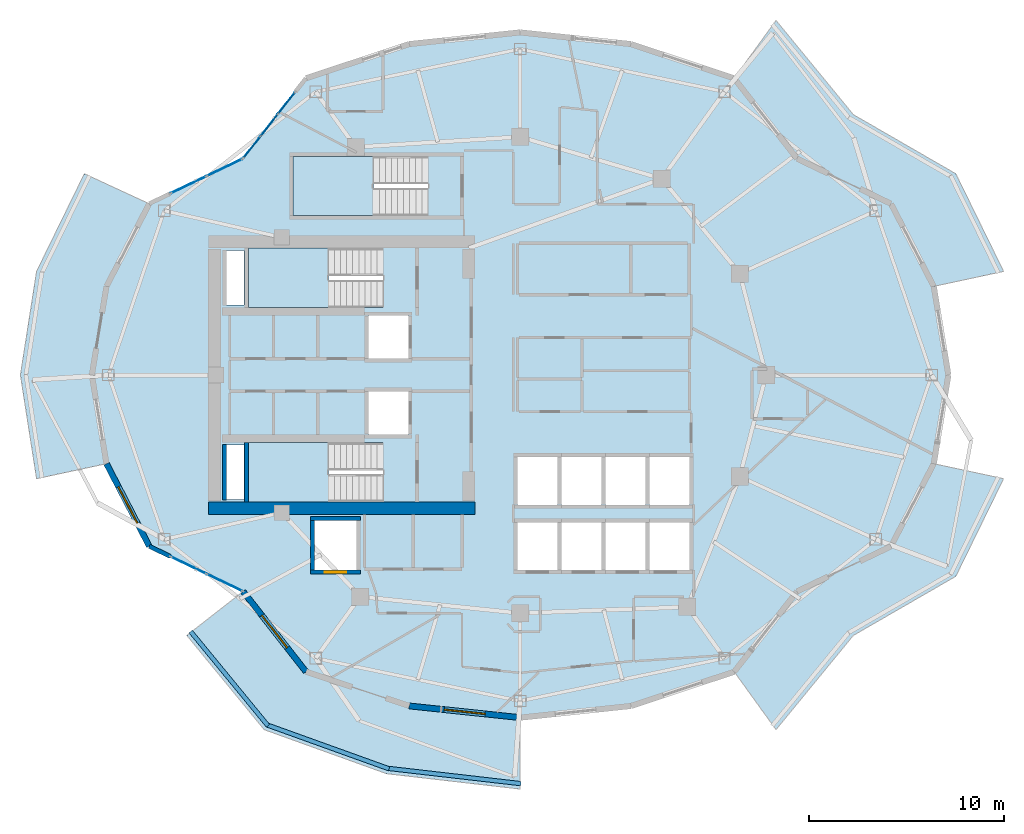
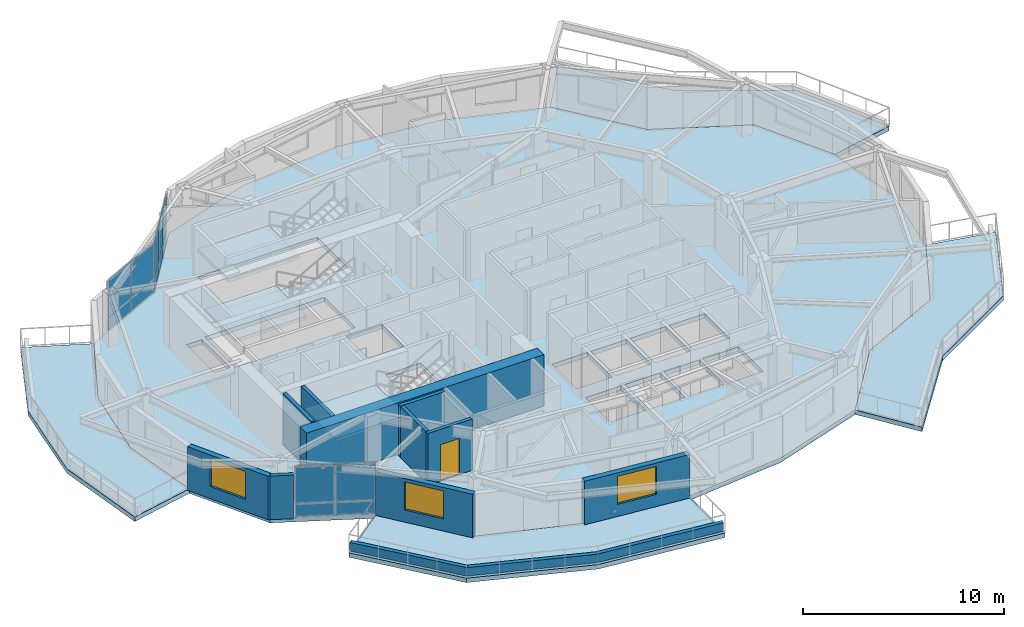
# One storey, part 6 of 13: 17 plates, 13 walls, 8 slabs, 3 windows, 1 door, 4 openings, 6 elements without a shape of their own.
"""IFC4 building model written with IfcOpenShell, lengths in metres."""

from ifc_helpers import new_model, si_unit, direction, frame, frame_2d, origin, origin_2d, place, context, subcontext, project, spatial, polyline, rectangle, outline, extrude, material, layer, layer_set, type_object, element, fill, aggregate, save


model = new_model("IFC4")

# Units and contexts
model_context = context("Model", 3, precision=1e-05, world=origin(), true_north=direction((0.0, 1.0)))
body_context = subcontext(model_context, "Body", "Model", "MODEL_VIEW")
ifc_project = project(units=[si_unit("LENGTHUNIT", "METRE"), si_unit("AREAUNIT", "SQUARE_METRE"), si_unit("VOLUMEUNIT", "CUBIC_METRE"), si_unit("PLANEANGLEUNIT", "RADIAN"), si_unit("MASSUNIT", "GRAM", prefix="KILO")], contexts=[model_context])

# Site, building, storey
site_placement = place(None, origin())
site = spatial("IfcSite", under=ifc_project, at=site_placement, CompositionType="ELEMENT")
building_placement = place(site_placement, origin())
building = spatial("IfcBuilding", under=site, at=building_placement, Name="Kolvaren Gate Tower and Convention Centre", CompositionType="ELEMENT")
storey_placement = place(building_placement, frame((0.0, 0.0, 156.300048828125)))
storey = spatial("IfcBuildingStorey", under=building, at=storey_placement, Name="L40", CompositionType="ELEMENT", Elevation=156.300048828125)

# Plates
ifc_material_1 = material(Name="Perforated Anodized Bronze Aluminium Sheet 6 mm", Category="aluminium")
ifc_layer_1 = layer(ifc_material_1, 0.011962890625)
ifc_layer_set_1 = layer_set([ifc_layer_1], Name="Perforated Anodized Bronze Aluminium Sheet 6 mm")
plate_type_1 = type_object("IfcPlateType", Name="ARCH-PL-SCREEN-PERF", PredefinedType="SHEET", material=ifc_layer_set_1)
for number, where, z_axis, x_axis, name in (
    (1, (17.54638671875, 40.142333984375, 2.2900390625), (0.0, 0.0, 1.0), (0.616446487588, 0.787396804629, 0.0), "Tower L40 Perforated Bronze Solar Screen SS-08"),
    (2, (13.531494140625, 36.930419921875, 2.2900390625), (0.0, 0.0, 1.0), (0.901358389955, 0.433073957723, 0.0), "Tower L40 Perforated Bronze Solar Screen SS-09"),
    (3, (13.531494140625, 17.069580078125, 2.2900390625), (0.0, 0.0, 1.0), (0.901358389955, -0.433073957723, 0.0), "Tower L40 Perforated Bronze Solar Screen SS-14"),
):
    element("IfcPlate", number, at=place(storey_placement, frame(where, z_axis=z_axis, x_axis=x_axis)), inside=storey, type_object=plate_type_1, Name=name, PredefinedType="SHEET", context=body_context, shape_type="SweptSolid", body=[
        extrude(rectangle(XDim=2.60009765625, YDim=0.011962890625, at=origin_2d()), origin(), (0.0, 0.0, 1.0), 0.840087890625),
    ])

# Curtain wall, plates
ifc_material_2 = material(Name="Anodized Architectural Aluminium Alloy 6063-T6", Category="aluminium")
ifc_layer_2 = layer(ifc_material_2, 0.159912109375)
ifc_layer_set_2 = layer_set([ifc_layer_2], Name="Anodized Architectural Aluminium Alloy 6063-T6")
curtain_wall_type = type_object("IfcCurtainWallType", Name="CW-HTL-UNIT", PredefinedType="NOTDEFINED", material=ifc_layer_set_2)
curtain_wall_1_placement = place(storey_placement, origin())
curtain_wall_1 = element("IfcCurtainWall", 4, at=curtain_wall_1_placement, inside=storey, type_object=curtain_wall_type, Name="Tower L40 Unitised Curtain Wall CW-HTL-UNIT Bay 08", PredefinedType="NOTDEFINED")
ifc_material_3 = material(Name="Low-E Triple Insulated Glazing Unit 44 mm", Category="glass")
ifc_layer_3 = layer(ifc_material_3, 0.0439453125)
ifc_layer_set_3 = layer_set([ifc_layer_3], Name="Low-E Triple Insulated Glazing Unit 44 mm")
plate_type_2 = type_object("IfcPlateType", Name="CW-PL-IGU-44", PredefinedType="CURTAIN_PANEL", material=ifc_layer_set_3)
plate_1_placement = place(storey_placement, frame((16.39306640625, 38.669189453125, 0.88232421875), z_axis=(0.0, 0.0, 1.0), x_axis=(0.616449056034, 0.787394793807, 0.0)))
plate_1 = element("IfcPlate", 5, at=plate_1_placement, type_object=plate_type_2, Name="CW-03 panel 1.2", PredefinedType="CURTAIN_PANEL", context=body_context, shape_type="SweptSolid", body=[
    extrude(rectangle(XDim=1.3515625, YDim=0.0439453125, at=origin_2d()), origin(), (0.0, 0.0, 1.0), 2.1826171875),
])
plate_2_placement = place(storey_placement, frame((17.2763671875, 39.79736328125, 0.88232421875), z_axis=(0.0, 0.0, 1.0), x_axis=(0.616449056034, 0.787394793807, 0.0)))
plate_2 = element("IfcPlate", 6, at=plate_2_placement, type_object=plate_type_2, Name="CW-03 panel 2.2", PredefinedType="CURTAIN_PANEL", context=body_context, shape_type="SweptSolid", body=[
    extrude(rectangle(XDim=1.384033203125, YDim=0.0439453125, at=origin_2d()), origin(), (0.0, 0.0, 1.0), 2.1826171875),
])
plate_3_placement = place(storey_placement, frame((18.15966796875, 40.925537109375, 0.88232421875), z_axis=(0.0, 0.0, 1.0), x_axis=(0.616449056034, 0.787394793807, 0.0)))
plate_3 = element("IfcPlate", 7, at=plate_3_placement, type_object=plate_type_2, Name="CW-03 panel 3.2", PredefinedType="CURTAIN_PANEL", context=body_context, shape_type="SweptSolid", body=[
    extrude(rectangle(XDim=1.3515625, YDim=0.0439453125, at=origin_2d()), origin(), (0.0, 0.0, 1.0), 2.1826171875),
])

curtain_wall_2_placement = place(storey_placement, origin())
curtain_wall_2 = element("IfcCurtainWall", 8, at=curtain_wall_2_placement, inside=storey, type_object=curtain_wall_type, Name="Tower L40 Unitised Curtain Wall CW-HTL-UNIT Bay 09", PredefinedType="NOTDEFINED")
plate_4_placement = place(storey_placement, frame((13.14208984375, 36.743408203125, 0.88232421875), z_axis=(0.0, 0.0, 1.0), x_axis=(0.901362639973, 0.433065112035, 0.0)))
plate_4 = element("IfcPlate", 9, at=plate_4_placement, type_object=plate_type_2, Name="CW-03 panel 1.2", PredefinedType="CURTAIN_PANEL", context=body_context, shape_type="SweptSolid", body=[
    extrude(rectangle(XDim=1.980224609375, YDim=0.0439453125, at=origin_2d()), origin(), (0.0, 0.0, 1.0), 2.1826171875),
])
plate_5_placement = place(storey_placement, frame((14.985595703125, 37.629150390625, 0.88232421875), z_axis=(0.0, 0.0, 1.0), x_axis=(0.901362639973, 0.433065112035, 0.0)))
plate_5 = element("IfcPlate", 10, at=plate_5_placement, type_object=plate_type_2, Name="CW-03 panel 2.2", PredefinedType="CURTAIN_PANEL", context=body_context, shape_type="SweptSolid", body=[
    extrude(rectangle(XDim=1.980224609375, YDim=0.0439453125, at=origin_2d()), origin(), (0.0, 0.0, 1.0), 2.1826171875),
])

curtain_wall_3_placement = place(storey_placement, origin())
curtain_wall_3 = element("IfcCurtainWall", 11, at=curtain_wall_3_placement, inside=storey, type_object=curtain_wall_type, Name="Tower L40 Unitised Curtain Wall CW-HTL-UNIT Bay 14", PredefinedType="NOTDEFINED")
plate_6_placement = place(storey_placement, frame((13.14208984375, 17.256591796875, 0.88232421875), z_axis=(0.0, 0.0, 1.0), x_axis=(0.901362639973, -0.433065112035, 0.0)))
plate_6 = element("IfcPlate", 12, at=plate_6_placement, type_object=plate_type_2, Name="CW-03 panel 1.2", PredefinedType="CURTAIN_PANEL", context=body_context, shape_type="SweptSolid", body=[
    extrude(rectangle(XDim=1.980224609375, YDim=0.0439453125, at=origin_2d()), origin(), (0.0, 0.0, 1.0), 2.1826171875),
])
plate_7_placement = place(storey_placement, frame((14.985595703125, 16.370849609375, 0.88232421875), z_axis=(0.0, 0.0, 1.0), x_axis=(0.901362639973, -0.433065112035, 0.0)))
plate_7 = element("IfcPlate", 13, at=plate_7_placement, type_object=plate_type_2, Name="CW-03 panel 2.2", PredefinedType="CURTAIN_PANEL", context=body_context, shape_type="SweptSolid", body=[
    extrude(rectangle(XDim=1.980224609375, YDim=0.0439453125, at=origin_2d()), origin(), (0.0, 0.0, 1.0), 2.1826171875),
])

# Plate
ifc_material_4 = material(Name="Solar-Control Laminated Curtain Glazing 36 mm", Category="glass")
ifc_layer_4 = layer(ifc_material_4, 0.035888671875)
ifc_layer_set_4 = layer_set([ifc_layer_4], Name="Solar-Control Laminated Curtain Glazing 36 mm")
plate_type_3 = type_object("IfcPlateType", Name="CW-PL-SPAN-36", PredefinedType="CURTAIN_PANEL", material=ifc_layer_set_4)
plate_8_placement = place(storey_placement, frame((16.39306640625, 38.669189453125, 0.06494140625), z_axis=(0.0, 0.0, 1.0), x_axis=(0.616449056034, 0.787394793807, 0.0)))
plate_8 = element("IfcPlate", 14, at=plate_8_placement, type_object=plate_type_3, Name="CW-03 panel 1.1", PredefinedType="CURTAIN_PANEL", context=body_context, shape_type="SweptSolid", body=[
    extrude(rectangle(XDim=1.3515625, YDim=0.035888671875, at=origin_2d()), origin(), (0.0, 0.0, 1.0), 0.75244140625),
])

plate_9_placement = place(storey_placement, frame((17.2763671875, 39.79736328125, 0.06494140625), z_axis=(0.0, 0.0, 1.0), x_axis=(0.616449056034, 0.787394793807, 0.0)))
plate_9 = element("IfcPlate", 15, at=plate_9_placement, type_object=plate_type_3, Name="CW-03 panel 2.1", PredefinedType="CURTAIN_PANEL", context=body_context, shape_type="SweptSolid", body=[
    extrude(rectangle(XDim=1.384033203125, YDim=0.035888671875, at=origin_2d()), origin(), (0.0, 0.0, 1.0), 0.75244140625),
])

plate_10_placement = place(storey_placement, frame((18.15966796875, 40.925537109375, 0.06494140625), z_axis=(0.0, 0.0, 1.0), x_axis=(0.616449056034, 0.787394793807, 0.0)))
plate_10 = element("IfcPlate", 16, at=plate_10_placement, type_object=plate_type_3, Name="CW-03 panel 3.1", PredefinedType="CURTAIN_PANEL", context=body_context, shape_type="SweptSolid", body=[
    extrude(rectangle(XDim=1.3515625, YDim=0.035888671875, at=origin_2d()), origin(), (0.0, 0.0, 1.0), 0.75244140625),
])

aggregate(curtain_wall_1, [plate_8, plate_1, plate_9, plate_2, plate_10, plate_3])

plate_11_placement = place(storey_placement, frame((13.14208984375, 36.743408203125, 0.06494140625), z_axis=(0.0, 0.0, 1.0), x_axis=(0.901362639973, 0.433065112035, 0.0)))
plate_11 = element("IfcPlate", 17, at=plate_11_placement, type_object=plate_type_3, Name="CW-03 panel 1.1", PredefinedType="CURTAIN_PANEL", context=body_context, shape_type="SweptSolid", body=[
    extrude(rectangle(XDim=1.980224609375, YDim=0.035888671875, at=origin_2d()), origin(), (0.0, 0.0, 1.0), 0.75244140625),
])

plate_12_placement = place(storey_placement, frame((14.985595703125, 37.629150390625, 0.06494140625), z_axis=(0.0, 0.0, 1.0), x_axis=(0.901362639973, 0.433065112035, 0.0)))
plate_12 = element("IfcPlate", 18, at=plate_12_placement, type_object=plate_type_3, Name="CW-03 panel 2.1", PredefinedType="CURTAIN_PANEL", context=body_context, shape_type="SweptSolid", body=[
    extrude(rectangle(XDim=1.980224609375, YDim=0.035888671875, at=origin_2d()), origin(), (0.0, 0.0, 1.0), 0.75244140625),
])

aggregate(curtain_wall_2, [plate_11, plate_4, plate_12, plate_5])

plate_13_placement = place(storey_placement, frame((13.14208984375, 17.256591796875, 0.06494140625), z_axis=(0.0, 0.0, 1.0), x_axis=(0.901362639973, -0.433065112035, 0.0)))
plate_13 = element("IfcPlate", 19, at=plate_13_placement, type_object=plate_type_3, Name="CW-03 panel 1.1", PredefinedType="CURTAIN_PANEL", context=body_context, shape_type="SweptSolid", body=[
    extrude(rectangle(XDim=1.980224609375, YDim=0.035888671875, at=origin_2d()), origin(), (0.0, 0.0, 1.0), 0.75244140625),
])

plate_14_placement = place(storey_placement, frame((14.985595703125, 16.370849609375, 0.06494140625), z_axis=(0.0, 0.0, 1.0), x_axis=(0.901362639973, -0.433065112035, 0.0)))
plate_14 = element("IfcPlate", 20, at=plate_14_placement, type_object=plate_type_3, Name="CW-03 panel 2.1", PredefinedType="CURTAIN_PANEL", context=body_context, shape_type="SweptSolid", body=[
    extrude(rectangle(XDim=1.980224609375, YDim=0.035888671875, at=origin_2d()), origin(), (0.0, 0.0, 1.0), 0.75244140625),
])

aggregate(curtain_wall_3, [plate_13, plate_6, plate_14, plate_7])

# Slabs
ifc_material_5 = material(Name="Concrete C50/60", Category="concrete")
ifc_layer_5 = layer(ifc_material_5, 0.27001953125)
ifc_layer_set_5 = layer_set([ifc_layer_5], Name="Concrete C50/60")
slab_type_1 = type_object("IfcSlabType", Name="STR-SL-BALC-270", PredefinedType="FLOOR", material=ifc_layer_set_5)
slab_1_placement = place(storey_placement, frame((0.0, 0.0, -0.27001953125)))
element("IfcSlab", 21, at=slab_1_placement, inside=storey, type_object=slab_type_1, Name="Tower L40 Planted Balcony Terrace Slab 1 (East)", PredefinedType="FLOOR", context=body_context, shape_type="SweptSolid", body=[
    extrude(outline(polyline([(51.31494140625, 31.542236328125), (49.123291015625, 35.77490234375), (44.3134765625, 38.0859375), (41.09375, 42.19873046875), (43.235595703125, 45.16650390625), (47.197509765625, 40.33935546875), (52.446044921875, 37.309814453125), (54.893798828125, 32.309326171875), (51.31494140625, 31.542236328125)])), origin(), (0.0, 0.0, 1.0), 0.27001953125),
])
slab_2_placement = place(storey_placement, frame((0.0, 0.0, -0.27001953125)))
element("IfcSlab", 22, at=slab_2_placement, inside=storey, type_object=slab_type_1, Name="Tower L40 Planted Balcony Terrace Slab 2 (West)", PredefinedType="FLOOR", context=body_context, shape_type="SweptSolid", body=[
    extrude(outline(polyline([(11.126708984375, 35.77490234375), (8.93505859375, 31.542236328125), (8.1875, 27.0), (8.93505859375, 22.457763671875), (5.356201171875, 21.690673828125), (4.527587890625, 27.0), (5.356201171875, 32.309326171875), (7.803955078125, 37.309814453125), (11.126708984375, 35.77490234375)])), origin(), (0.0, 0.0, 1.0), 0.27001953125),
])
slab_3_placement = place(storey_placement, frame((0.0, 0.0, -0.27001953125)))
element("IfcSlab", 23, at=slab_3_placement, inside=storey, type_object=slab_type_1, Name="Tower L40 Planted Balcony Terrace Slab 3 (South)", PredefinedType="FLOOR", context=body_context, shape_type="SweptSolid", body=[
    extrude(outline(polyline([(15.9365234375, 15.9140625), (19.15625, 11.80126953125), (24.447265625, 10.048095703125), (30.125, 9.449951171875), (30.125, 5.7900390625), (23.284912109375, 6.577392578125), (17.014404296875, 8.83349609375), (13.052490234375, 13.66064453125), (15.9365234375, 15.9140625)])), origin(), (0.0, 0.0, 1.0), 0.27001953125),
])
slab_4_placement = place(storey_placement, frame((0.0, 0.0, -0.27001953125)))
element("IfcSlab", 24, at=slab_4_placement, inside=storey, type_object=slab_type_1, Name="Tower L40 Planted Balcony Terrace Slab 4 (East)", PredefinedType="FLOOR", context=body_context, shape_type="SweptSolid", body=[
    extrude(outline(polyline([(41.09375, 11.80126953125), (44.3134765625, 15.9140625), (49.123291015625, 18.22509765625), (51.31494140625, 22.457763671875), (54.893798828125, 21.690673828125), (52.446044921875, 16.690185546875), (47.197509765625, 13.66064453125), (43.235595703125, 8.83349609375), (41.09375, 11.80126953125)])), origin(), (0.0, 0.0, 1.0), 0.27001953125),
])
ifc_material_6 = material(Name="Concrete C40/50", Category="concrete")
ifc_layer_6 = layer(ifc_material_6, 0.27001953125)
ifc_layer_set_6 = layer_set([ifc_layer_6], Name="Concrete C40/50")
slab_type_2 = type_object("IfcSlabType", Name="STR-SL-FLR-270", PredefinedType="FLOOR", material=ifc_layer_set_6)
slab_5_placement = place(storey_placement, frame((0.0, 0.0, -0.27001953125)))
element("IfcSlab", 25, at=slab_5_placement, inside=storey, type_object=slab_type_2, Name="Tower L40 Structural Floor Slab", PredefinedType="FLOOR", context=body_context, shape_type="SweptSolid", body=[
    extrude(outline(polyline([(52.0625, 27.0), (51.31494140625, 31.542236328125), (49.123291015625, 35.77490234375), (44.3134765625, 38.0859375), (41.09375, 42.19873046875), (35.802734375, 43.951904296875), (30.125, 44.550048828125), (24.447265625, 43.951904296875), (19.15625, 42.19873046875), (15.9365234375, 38.0859375), (11.126708984375, 35.77490234375), (8.93505859375, 31.542236328125), (8.1875, 27.0), (8.93505859375, 22.457763671875), (11.126708984375, 18.22509765625), (15.9365234375, 15.9140625), (19.15625, 11.80126953125), (24.447265625, 10.048095703125), (30.125, 9.449951171875), (35.802734375, 10.048095703125), (41.09375, 11.80126953125), (44.3134765625, 15.9140625), (49.123291015625, 18.22509765625), (51.31494140625, 22.457763671875), (52.0625, 27.0)]), holes=[polyline([(36.75, 17.0), (36.75, 19.449951171875), (38.800048828125, 19.449951171875), (38.800048828125, 17.0), (36.75, 17.0)]), polyline([(36.75, 20.35009765625), (36.75, 22.800048828125), (38.800048828125, 22.800048828125), (38.800048828125, 20.35009765625), (36.75, 20.35009765625)]), polyline([(34.5, 17.0), (34.5, 19.449951171875), (36.550048828125, 19.449951171875), (36.550048828125, 17.0), (34.5, 17.0)]), polyline([(34.5, 20.35009765625), (34.5, 22.800048828125), (36.550048828125, 22.800048828125), (36.550048828125, 20.35009765625), (34.5, 20.35009765625)]), polyline([(32.25, 17.0), (32.25, 19.449951171875), (34.300048828125, 19.449951171875), (34.300048828125, 17.0), (32.25, 17.0)]), polyline([(32.25, 20.35009765625), (32.25, 22.800048828125), (34.300048828125, 22.800048828125), (34.300048828125, 20.35009765625), (32.25, 20.35009765625)]), polyline([(30.0, 17.0), (30.0, 19.449951171875), (32.050048828125, 19.449951171875), (32.050048828125, 17.0), (30.0, 17.0)]), polyline([(30.0, 20.35009765625), (30.0, 22.800048828125), (32.050048828125, 22.800048828125), (32.050048828125, 20.35009765625), (30.0, 20.35009765625)]), polyline([(25.39990234375, 38.199951171875), (25.39990234375, 35.159912109375), (18.5, 35.159912109375), (18.5, 38.199951171875), (25.39990234375, 38.199951171875)]), polyline([(22.35009765625, 23.9599609375), (22.35009765625, 26.159912109375), (24.39990234375, 26.159912109375), (24.39990234375, 23.9599609375), (22.35009765625, 23.9599609375)]), polyline([(22.35009765625, 27.840087890625), (22.35009765625, 30.0400390625), (24.39990234375, 30.0400390625), (24.39990234375, 27.840087890625), (22.35009765625, 27.840087890625)]), polyline([(23.10009765625, 23.5400390625), (23.10009765625, 20.5), (16.199951171875, 20.5), (16.199951171875, 23.5400390625), (23.10009765625, 23.5400390625)]), polyline([(23.10009765625, 33.5), (23.10009765625, 30.4599609375), (16.199951171875, 30.4599609375), (16.199951171875, 33.5), (23.10009765625, 33.5)]), polyline([(19.60009765625, 17.0), (19.60009765625, 19.550048828125), (21.75, 19.550048828125), (21.75, 17.0), (19.60009765625, 17.0)]), polyline([(15.080078125, 20.6298828125), (15.080078125, 23.419921875), (15.969970703125, 23.419921875), (15.969970703125, 20.6298828125), (15.080078125, 20.6298828125)]), polyline([(15.080078125, 30.580078125), (15.080078125, 33.3701171875), (15.969970703125, 33.3701171875), (15.969970703125, 30.580078125), (15.080078125, 30.580078125)])]), origin(), (0.0, 0.0, 1.0), 0.27001953125),
])

# Stair, slab
stair_type = type_object("IfcStairType", Name="STR-STAIR-CORE", PredefinedType="HALF_TURN_STAIR", material=ifc_material_5)
stair_1_placement = place(storey_placement, origin())
stair_1 = element("IfcStair", 26, at=stair_1_placement, inside=storey, type_object=stair_type, Name="L40 Tower North Exit Stair ST-T1", PredefinedType="HALF_TURN_STAIR")
ifc_layer_7 = layer(ifc_material_5, 0.199951171875)
ifc_layer_set_7 = layer_set([ifc_layer_7], Name="Concrete C50/60")
slab_type_3 = type_object("IfcSlabType", Name="STR-SL-LAND-200", PredefinedType="LANDING", material=ifc_layer_set_7)
slab_6_placement = place(storey_placement, frame((0.0, 0.0, 1.5)))
slab_6 = element("IfcSlab", 27, at=slab_6_placement, type_object=slab_type_3, Name="ST-T1 landing 1", PredefinedType="LANDING", context=body_context, shape_type="SweptSolid", body=[
    extrude(outline(polyline([(20.31005859375, 33.5), (16.199951171875, 33.5), (16.199951171875, 30.4599609375), (20.31005859375, 30.4599609375), (20.31005859375, 33.5)])), origin(), (0.0, 0.0, 1.0), 0.199951171875),
])
aggregate(stair_1, [slab_6])

stair_2_placement = place(storey_placement, origin())
stair_2 = element("IfcStair", 28, at=stair_2_placement, inside=storey, type_object=stair_type, Name="L40 Tower South Exit Stair ST-T2", PredefinedType="HALF_TURN_STAIR")
slab_7_placement = place(storey_placement, frame((0.0, 0.0, 1.5)))
slab_7 = element("IfcSlab", 29, at=slab_7_placement, type_object=slab_type_3, Name="ST-T2 landing 1", PredefinedType="LANDING", context=body_context, shape_type="SweptSolid", body=[
    extrude(outline(polyline([(20.31005859375, 23.5400390625), (16.199951171875, 23.5400390625), (16.199951171875, 20.5), (20.31005859375, 20.5), (20.31005859375, 23.5400390625)])), origin(), (0.0, 0.0, 1.0), 0.199951171875),
])
aggregate(stair_2, [slab_7])

stair_3_placement = place(storey_placement, origin())
stair_3 = element("IfcStair", 30, at=stair_3_placement, inside=storey, type_object=stair_type, Name="L40 Tower Mid-Zone Exit Stair ST-T3", PredefinedType="HALF_TURN_STAIR")
slab_8_placement = place(storey_placement, frame((0.0, 0.0, 1.5)))
slab_8 = element("IfcSlab", 31, at=slab_8_placement, type_object=slab_type_3, Name="ST-T3 landing 1", PredefinedType="LANDING", context=body_context, shape_type="SweptSolid", body=[
    extrude(outline(polyline([(22.610107421875, 38.199951171875), (18.5, 38.199951171875), (18.5, 35.159912109375), (22.610107421875, 35.159912109375), (22.610107421875, 38.199951171875)])), origin(), (0.0, 0.0, 1.0), 0.199951171875),
])
aggregate(stair_3, [slab_8])

# Walls
ifc_material_7 = material(Name="Bogota Sabana Bush-Hammered Sandstone Cladding", Category="masonry")
ifc_layer_8 = layer(ifc_material_7, 0.219970703125)
ifc_layer_set_8 = layer_set([ifc_layer_8], Name="Bogota Sabana Bush-Hammered Sandstone Cladding")
wall_type_1 = type_object("IfcWallType", Name="ARCH-WL-PIER-220", PredefinedType="SOLIDWALL", material=ifc_layer_set_8)
wall_1_placement = place(storey_placement, frame((11.126708984375, 18.22509765625, 0.0), z_axis=(0.0, 0.0, 1.0), x_axis=(0.901264843027, -0.433268603437, 0.0)))
element("IfcWall", 32, at=wall_1_placement, inside=storey, type_object=wall_type_1, Name="Tower L40 Unitised Curtain Wall CW-HTL-UNIT Bay 14 Left Column Pier Wrap", PredefinedType="SOLIDWALL", context=body_context, shape_type="SweptSolid", body=[
    extrude(rectangle(XDim=1.18115234375, YDim=0.219970703125, at=frame_2d((0.590576171875, 0.0))), origin(), (0.0, 0.0, 1.0), 2.65283203125),
])
ifc_material_8 = material(Name="Piedmont Cream Honed Limestone Cladding", Category="masonry")
ifc_layer_9 = layer(ifc_material_8, 0.219970703125)
ifc_layer_set_9 = layer_set([ifc_layer_9], Name="Piedmont Cream Honed Limestone Cladding")
wall_type_2 = type_object("IfcWallType", Name="ARCH-WL-PLANTER-220", PredefinedType="PARAPET", material=ifc_layer_set_9)
wall_2_placement = place(storey_placement, frame((13.24609375, 13.86279296875, 0.0), z_axis=(0.0, 0.0, 1.0), x_axis=(0.634429234628, -0.77298094818, 0.0)))
element("IfcWall", 33, at=wall_2_placement, inside=storey, type_object=wall_type_2, Name="Vertical-Forest Balcony Stone Planter Kerb PK-L40-3.1", PredefinedType="PARAPET", context=body_context, shape_type="SweptSolid", body=[
    extrude(rectangle(XDim=6.244873046875, YDim=0.219970703125, at=frame_2d((3.12255859375, 0.0))), origin(), (0.0, 0.0, 1.0), 0.52001953125),
])
wall_3_placement = place(storey_placement, frame((17.142822265625, 9.082275390625, 0.0), z_axis=(0.0, 0.0, 1.0), x_axis=(0.940948576924, -0.338549517184, 0.0)))
element("IfcWall", 34, at=wall_3_placement, inside=storey, type_object=wall_type_2, Name="Vertical-Forest Balcony Stone Planter Kerb PK-L40-3.2", PredefinedType="PARAPET", context=body_context, shape_type="SweptSolid", body=[
    extrude(rectangle(XDim=6.6640625, YDim=0.219970703125, at=frame_2d((3.33203125, 0.0))), origin(), (0.0, 0.0, 1.0), 0.52001953125),
])
wall_4_placement = place(storey_placement, frame((23.330078125, 6.853759765625, 0.0), z_axis=(0.0, 0.0, 1.0), x_axis=(0.993440576506, -0.114349555972, 0.0)))
element("IfcWall", 35, at=wall_4_placement, inside=storey, type_object=wall_type_2, Name="Vertical-Forest Balcony Stone Planter Kerb PK-L40-3.3", PredefinedType="PARAPET", context=body_context, shape_type="SweptSolid", body=[
    extrude(rectangle(XDim=6.885498046875, YDim=0.219970703125, at=frame_2d((3.44287109375, 0.0))), origin(), (0.0, 0.0, 1.0), 0.52001953125),
])
ifc_material_9 = material(Name="Autoclaved Aerated Masonry Blockwork Class 4 (4.0 MPa)", Category="masonry")
ifc_layer_10 = layer(ifc_material_9, 0.199951171875)
ifc_layer_set_10 = layer_set([ifc_layer_10], Name="Autoclaved Aerated Masonry Blockwork Class 4 (4.0 MPa)")
wall_type_3 = type_object("IfcWallType", Name="ARCH-WL-SHAFT-200", PredefinedType="SOLIDWALL", material=ifc_layer_set_10)
wall_5_placement = place(storey_placement, frame((19.39990234375, 19.64990234375, 0.0), z_axis=(0.0, 0.0, 1.0), x_axis=(1.0, 0.0, 0.0)))
element("IfcWall", 36, at=wall_5_placement, inside=storey, type_object=wall_type_3, Name="Elevator SV-01 L40 Fire Shaft Wall N", PredefinedType="SOLIDWALL", context=body_context, shape_type="SweptSolid", body=[
    extrude(rectangle(XDim=2.550048828125, YDim=0.199951171875, at=frame_2d((1.27490234375, 0.0))), origin(), (0.0, 0.0, 1.0), 3.1298828125),
])

# Wall, opening, door
wall_6_placement = place(storey_placement, frame((19.39990234375, 16.89990234375, 0.0), z_axis=(0.0, 0.0, 1.0), x_axis=(1.0, 0.0, 0.0)))
wall_6 = element("IfcWall", 37, at=wall_6_placement, inside=storey, type_object=wall_type_3, Name="Elevator SV-01 L40 Fire Shaft Wall S", PredefinedType="SOLIDWALL", context=body_context, shape_type="SweptSolid", body=[
    extrude(rectangle(XDim=2.550048828125, YDim=0.199951171875, at=frame_2d((1.27490234375, 0.0))), origin(), (0.0, 0.0, 1.0), 3.1298828125),
])
opening_1_placement = place(wall_6_placement, frame((0.72509765625, 0.0, 0.0)))
opening_1 = element("IfcOpeningElement", 38, at=opening_1_placement, cuts=wall_6, Name="Opening LD", PredefinedType="OPENING", context=body_context, shape_type="SweptSolid", body=[
    extrude(rectangle(XDim=1.10009765625, YDim=2.199951171875, at=frame_2d((0.550048828125, 1.10009765625))), frame((0.0, 0.10986328125, 0.0), z_axis=(0.0, -1.0, 0.0), x_axis=(1.0, 0.0, 0.0)), (0.0, 0.0, 1.0), 0.219970703125),
])
ifc_material_10 = material(Name="Brushed Stainless Steel Grade 316L", Category="steel")
door_type = type_object("IfcDoorType", Name="ARCH-DR-LIFT-1100", OperationType="SLIDING_TO_LEFT", PredefinedType="DOOR", material=ifc_material_10)
door_placement = place(opening_1_placement, origin())
door = element("IfcDoor", 39, at=door_placement, inside=storey, type_object=door_type, Name="Elevator SV-01 L40 Sliding Landing Door", OperationType="SLIDING_TO_LEFT", OverallHeight=2.199951171875, OverallWidth=1.10009765625, PredefinedType="DOOR", context=body_context, shape_type="SweptSolid", body=[
    extrude(rectangle(XDim=1.10009765625, YDim=2.199951171875, at=frame_2d((0.550048828125, 1.10009765625))), frame((0.0, 0.02490234375, 0.0), z_axis=(0.0, -1.0, 0.0), x_axis=(1.0, 0.0, 0.0)), (0.0, 0.0, 1.0), 0.050048828125),
])
fill(opening_1, door)

# Walls
wall_7_placement = place(storey_placement, frame((19.5, 17.010009765625, 0.0), z_axis=(0.0, 0.0, 1.0), x_axis=(0.0, 1.0, 0.0)))
element("IfcWall", 40, at=wall_7_placement, inside=storey, type_object=wall_type_3, Name="Elevator SV-01 L40 Fire Shaft Wall W", PredefinedType="SOLIDWALL", context=body_context, shape_type="SweptSolid", body=[
    extrude(rectangle(XDim=2.530029296875, YDim=0.199951171875, at=frame_2d((1.26513671875, 0.0))), origin(), (0.0, 0.0, 1.0), 3.1298828125),
])
wall_8_placement = place(storey_placement, frame((14.989990234375, 20.60009765625, 0.0), z_axis=(0.0, 0.0, 1.0), x_axis=(0.0, 1.0, 0.0)))
element("IfcWall", 41, at=wall_8_placement, inside=storey, type_object=wall_type_3, Name="Vertical Shaft MPR L40 EI-120 Enclosure Wall W", PredefinedType="SOLIDWALL", context=body_context, shape_type="SweptSolid", body=[
    extrude(rectangle(XDim=2.849853515625, YDim=0.199951171875, at=frame_2d((1.4248046875, 0.0))), origin(), (0.0, 0.0, 1.0), 3.1298828125),
])

# Wall, opening, window
ifc_layer_11 = layer(ifc_material_8, 0.300048828125)
ifc_layer_set_11 = layer_set([ifc_layer_11], Name="Piedmont Cream Honed Limestone Cladding")
wall_type_4 = type_object("IfcWallType", Name="ARCH-WL-STONE-300", PredefinedType="SOLIDWALL", material=ifc_layer_set_11)
wall_9_placement = place(storey_placement, frame((8.93505859375, 22.457763671875, 0.0), z_axis=(0.0, 0.0, 1.0), x_axis=(0.459810251451, -0.888017191647, 0.0)))
wall_9 = element("IfcWall", 42, at=wall_9_placement, inside=storey, type_object=wall_type_4, Name="Tower L40 Honed Stone Spandrel Wall EW-13", PredefinedType="SOLIDWALL", context=body_context, shape_type="SweptSolid", body=[
    extrude(rectangle(XDim=4.766357421875, YDim=0.300048828125, at=frame_2d((2.38330078125, 0.0))), origin(), (0.0, 0.0, 1.0), 2.65283203125),
])
opening_2_placement = place(wall_9_placement, frame((1.3330078125, 0.0, 0.739990234375)))
opening_2 = element("IfcOpeningElement", 43, at=opening_2_placement, cuts=wall_9, Name="Opening W-02", PredefinedType="OPENING", context=body_context, shape_type="SweptSolid", body=[
    extrude(rectangle(XDim=2.10009765625, YDim=1.699951171875, at=frame_2d((1.050048828125, 0.85009765625))), frame((0.0, 0.159912109375, 0.0), z_axis=(0.0, -1.0, 0.0), x_axis=(1.0, 0.0, 0.0)), (0.0, 0.0, 1.0), 0.320068359375),
])
window_type = type_object("IfcWindowType", Name="ARCH-WN-HTL-2100", PartitioningType="SINGLE_PANEL", PredefinedType="WINDOW", material=ifc_material_3)
window_1_placement = place(opening_2_placement, origin())
window_1 = element("IfcWindow", 44, at=window_1_placement, inside=storey, type_object=window_type, Name="Tower L40 Punched Stone Facade Window W-13", OverallHeight=1.699951171875, OverallWidth=2.10009765625, PartitioningType="SINGLE_PANEL", PredefinedType="WINDOW", context=body_context, shape_type="SweptSolid", body=[
    extrude(rectangle(XDim=2.10009765625, YDim=1.699951171875, at=frame_2d((1.050048828125, 0.85009765625))), frame((0.0, 0.030029296875, 0.0), z_axis=(0.0, -1.0, 0.0), x_axis=(1.0, 0.0, 0.0)), (0.0, 0.0, 1.0), 0.06005859375),
])
fill(opening_2, window_1)

wall_10_placement = place(storey_placement, frame((15.9365234375, 15.9140625, 0.0), z_axis=(0.0, 0.0, 1.0), x_axis=(0.616429245738, -0.787410302828, 0.0)))
wall_10 = element("IfcWall", 45, at=wall_10_placement, inside=storey, type_object=wall_type_4, Name="Tower L40 Honed Stone Spandrel Wall EW-15", PredefinedType="SOLIDWALL", context=body_context, shape_type="SweptSolid", body=[
    extrude(rectangle(XDim=5.22314453125, YDim=0.300048828125, at=frame_2d((2.611572265625, 0.0))), origin(), (0.0, 0.0, 1.0), 2.65283203125),
])
opening_3_placement = place(wall_10_placement, frame((1.56201171875, 0.0, 0.739990234375)))
opening_3 = element("IfcOpeningElement", 46, at=opening_3_placement, cuts=wall_10, Name="Opening W-02", PredefinedType="OPENING", context=body_context, shape_type="SweptSolid", body=[
    extrude(rectangle(XDim=2.10009765625, YDim=1.699951171875, at=frame_2d((1.050048828125, 0.85009765625))), frame((0.0, 0.159912109375, 0.0), z_axis=(0.0, -1.0, 0.0), x_axis=(1.0, 0.0, 0.0)), (0.0, 0.0, 1.0), 0.320068359375),
])
window_2_placement = place(opening_3_placement, origin())
window_2 = element("IfcWindow", 47, at=window_2_placement, inside=storey, type_object=window_type, Name="Tower L40 Punched Stone Facade Window W-15", OverallHeight=1.699951171875, OverallWidth=2.10009765625, PartitioningType="SINGLE_PANEL", PredefinedType="WINDOW", context=body_context, shape_type="SweptSolid", body=[
    extrude(rectangle(XDim=2.10009765625, YDim=1.699951171875, at=frame_2d((1.050048828125, 0.85009765625))), frame((0.0, 0.030029296875, 0.0), z_axis=(0.0, -1.0, 0.0), x_axis=(1.0, 0.0, 0.0)), (0.0, 0.0, 1.0), 0.06005859375),
])
fill(opening_3, window_2)

wall_11_placement = place(storey_placement, frame((24.447265625, 10.048095703125, 0.0), z_axis=(0.0, 0.0, 1.0), x_axis=(0.994496545245, -0.104769372887, 0.0)))
wall_11 = element("IfcWall", 48, at=wall_11_placement, inside=storey, type_object=wall_type_4, Name="Tower L40 Honed Stone Spandrel Wall EW-17", PredefinedType="SOLIDWALL", context=body_context, shape_type="SweptSolid", body=[
    extrude(rectangle(XDim=5.709228515625, YDim=0.300048828125, at=frame_2d((2.8544921875, 0.0))), origin(), (0.0, 0.0, 1.0), 2.65283203125),
])
opening_4_placement = place(wall_11_placement, frame((1.804931640625, 0.0, 0.739990234375)))
opening_4 = element("IfcOpeningElement", 49, at=opening_4_placement, cuts=wall_11, Name="Opening W-02", PredefinedType="OPENING", context=body_context, shape_type="SweptSolid", body=[
    extrude(rectangle(XDim=2.10009765625, YDim=1.699951171875, at=frame_2d((1.050048828125, 0.85009765625))), frame((0.0, 0.159912109375, 0.0), z_axis=(0.0, -1.0, 0.0), x_axis=(1.0, 0.0, 0.0)), (0.0, 0.0, 1.0), 0.320068359375),
])
window_3_placement = place(opening_4_placement, origin())
window_3 = element("IfcWindow", 50, at=window_3_placement, inside=storey, type_object=window_type, Name="Tower L40 Punched Stone Facade Window W-17", OverallHeight=1.699951171875, OverallWidth=2.10009765625, PartitioningType="SINGLE_PANEL", PredefinedType="WINDOW", context=body_context, shape_type="SweptSolid", body=[
    extrude(rectangle(XDim=2.10009765625, YDim=1.699951171875, at=frame_2d((1.050048828125, 0.85009765625))), frame((0.0, 0.030029296875, 0.0), z_axis=(0.0, -1.0, 0.0), x_axis=(1.0, 0.0, 0.0)), (0.0, 0.0, 1.0), 0.06005859375),
])
fill(opening_4, window_3)

# Walls
ifc_material_11 = material(Name="Concrete C60/75", Category="concrete")
ifc_layer_12 = layer(ifc_material_11, 0.64990234375)
ifc_layer_set_12 = layer_set([ifc_layer_12], Name="Concrete C60/75")
wall_type_5 = type_object("IfcWallType", Name="STR-WL-CORE-650", PredefinedType="SHEAR", material=ifc_layer_set_12)
wall_12_placement = place(storey_placement, frame((14.175048828125, 20.175048828125, -0.27001953125), z_axis=(0.0, 0.0, 1.0), x_axis=(1.0, 0.0, 0.0)))
element("IfcWall", 51, at=wall_12_placement, inside=storey, type_object=wall_type_5, Name="Tower L40 Offset Core Shear Wall S", PredefinedType="SHEAR", context=body_context, shape_type="SweptSolid", body=[
    extrude(rectangle(XDim=13.64990234375, YDim=0.64990234375, at=frame_2d((6.824951171875, 0.0))), origin(), (0.0, 0.0, 1.0), 3.39990234375),
])
ifc_layer_13 = layer(ifc_material_5, 0.199951171875)
ifc_layer_set_13 = layer_set([ifc_layer_13], Name="Concrete C50/60")
wall_type_6 = type_object("IfcWallType", Name="STR-WL-SHAFT-200", PredefinedType="SHEAR", material=ifc_layer_set_13)
wall_13_placement = place(storey_placement, frame((16.10009765625, 20.501953125, -0.27001953125), z_axis=(0.0, 0.0, 1.0), x_axis=(0.0, 1.0, 0.0)))
element("IfcWall", 52, at=wall_13_placement, inside=storey, type_object=wall_type_6, Name="Tower South Exit Stair ST-T2 L40 Structural Shear Enclosure Wall FAR", PredefinedType="SHEAR", context=body_context, shape_type="SweptSolid", body=[
    extrude(rectangle(XDim=3.0361328125, YDim=0.199951171875, at=frame_2d((1.51806640625, 0.0))), origin(), (0.0, 0.0, 1.0), 3.39990234375),
])

save(model, "model.ifc")
